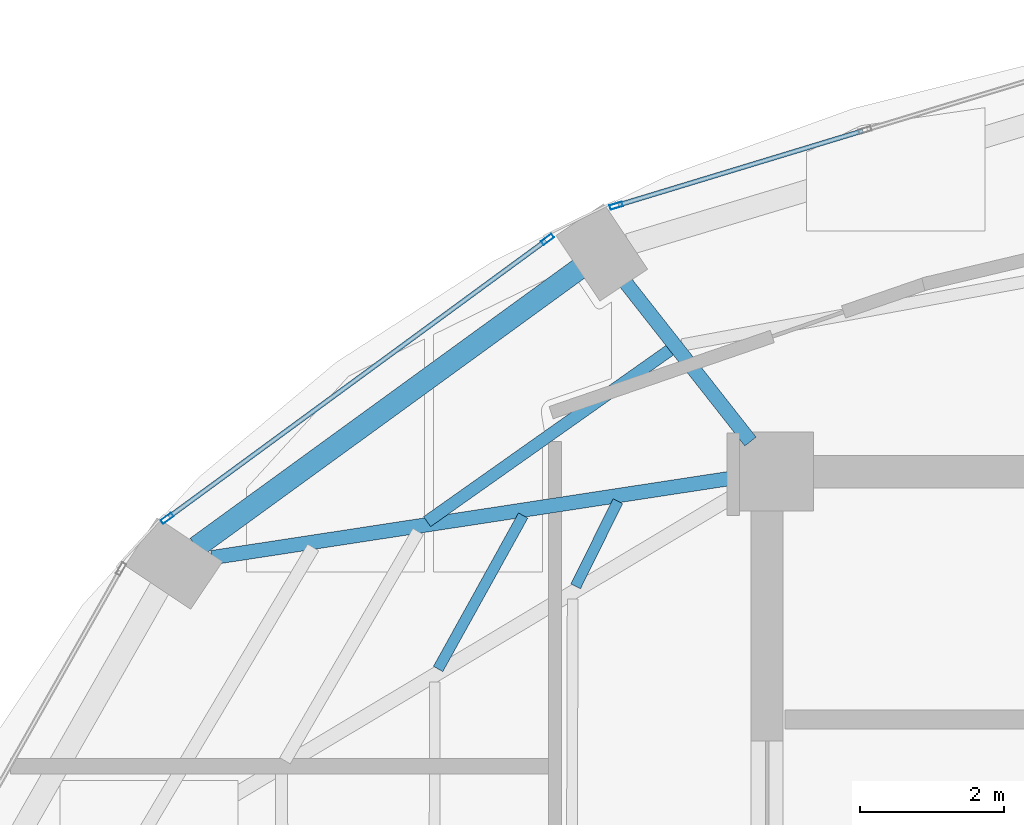
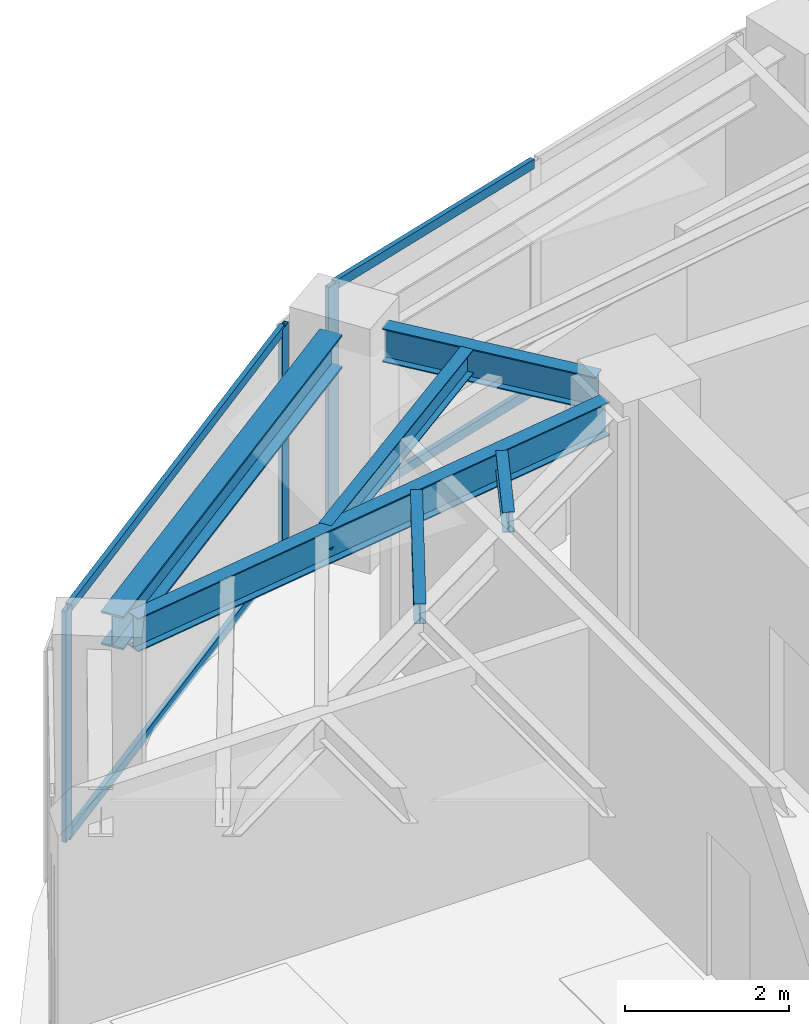
# One storey, part 10 of 22: 7 members, 6 beams, 2 elements without a shape of their own.
"""IFC4 building model written with IfcOpenShell, lengths in metres."""

from ifc_helpers import new_model, si_unit, direction, frame, origin, origin_2d, place, context, subcontext, project, spatial, hollow_rectangle, i_section, extrude, material, layer, layer_set, material_profile, profile_set, type_object, element, aggregate, save


model = new_model("IFC4")

# Units and contexts
model_context = context("Model", 3, precision=1e-05, world=origin(), true_north=direction((0.0, 1.0)))
body_context = subcontext(model_context, "Body", "Model", "MODEL_VIEW")
ifc_project = project(units=[si_unit("LENGTHUNIT", "METRE"), si_unit("AREAUNIT", "SQUARE_METRE"), si_unit("VOLUMEUNIT", "CUBIC_METRE"), si_unit("PLANEANGLEUNIT", "RADIAN"), si_unit("MASSUNIT", "GRAM", prefix="KILO")], contexts=[model_context])

# Site, building, storey
site_placement = place(None, origin())
site = spatial("IfcSite", under=ifc_project, at=site_placement, CompositionType="ELEMENT")
building_placement = place(site_placement, origin())
building = spatial("IfcBuilding", under=site, at=building_placement, Name="Lazwardi Medical Tower", CompositionType="ELEMENT")
storey_placement = place(building_placement, frame((0.0, 0.0, 238.60791015625)))
storey = spatial("IfcBuildingStorey", under=building, at=storey_placement, Name="L62", CompositionType="ELEMENT", Elevation=238.60791015625)

# Beams
ifc_material_1 = material(Name="Steel S355", Category="steel")
ifc_material_profile_1 = material_profile(ifc_material_1, i_section(OverallWidth=0.300048828125, OverallDepth=0.5, WebThickness=0.014404296875, FlangeThickness=0.028076171875, at=origin_2d()), Name="HEB 500")
ifc_profile_set_1 = profile_set([ifc_material_profile_1], Name="Steel S355")
beam_type_1 = type_object("IfcBeamType", Name="BM-RB-Z4", PredefinedType="BEAM", material=ifc_profile_set_1)
beam_1_placement = place(storey_placement, frame((23.68408203125, 38.4248046875, 3.197998046875), z_axis=(-0.808889916254, -0.587960120571, 0.0), x_axis=(0.587960120571, -0.808889916254, 0.0)))
element("IfcBeam", 1, at=beam_1_placement, inside=storey, type_object=beam_type_1, Name="Ring beam RB-05 B10 L62", PredefinedType="BEAM", context=body_context, shape_type="SweptSolid", body=[
    extrude(i_section(OverallWidth=0.300048828125, OverallDepth=0.5, WebThickness=0.014404296875, FlangeThickness=0.028076171875, at=origin_2d()), origin(), (0.0, 0.0, 1.0), 6.587158203125),
])
ifc_material_profile_2 = material_profile(ifc_material_1, i_section(OverallWidth=0.199951171875, OverallDepth=0.5, WebThickness=0.01025390625, FlangeThickness=0.01611328125, at=origin_2d()), Name="IPE 500")
ifc_profile_set_2 = profile_set([ifc_material_profile_2], Name="Steel S355")
beam_type_2 = type_object("IfcBeamType", Name="BM-RG-W3", PredefinedType="BEAM", material=ifc_profile_set_2)
beam_2_placement = place(storey_placement, frame((24.330322265625, 38.2333984375, 3.197998046875), z_axis=(0.617890508382, -0.786264153864, 0.0), x_axis=(0.786264153864, 0.617890508382, 0.0)))
element("IfcBeam", 2, at=beam_2_placement, inside=storey, type_object=beam_type_2, Name="Radial girder RG-04 R10 L62", PredefinedType="BEAM", context=body_context, shape_type="SweptSolid", body=[
    extrude(i_section(OverallWidth=0.199951171875, OverallDepth=0.5, WebThickness=0.01025390625, FlangeThickness=0.01611328125, at=origin_2d()), origin(), (0.0, 0.0, 1.0), 2.814453125),
])
beam_3_placement = place(storey_placement, frame((18.569091796875, 34.4033203125, 3.197998046875), z_axis=(0.988522137285, 0.151076087115, 0.0), x_axis=(-0.151076087115, 0.988522137285, 0.0)))
element("IfcBeam", 3, at=beam_3_placement, inside=storey, type_object=beam_type_2, Name="Radial girder RG-04 R11 L62", PredefinedType="BEAM", context=body_context, shape_type="SweptSolid", body=[
    extrude(i_section(OverallWidth=0.199951171875, OverallDepth=0.5, WebThickness=0.01025390625, FlangeThickness=0.01611328125, at=origin_2d()), origin(), (0.0, 0.0, 1.0), 7.38671875),
])
ifc_material_profile_3 = material_profile(ifc_material_1, i_section(OverallWidth=0.169921875, OverallDepth=0.360107421875, WebThickness=0.008056640625, FlangeThickness=0.0126953125, at=origin_2d()), Name="IPE 360")
ifc_profile_set_3 = profile_set([ifc_material_profile_3], Name="Steel S355")
beam_type_3 = type_object("IfcBeamType", Name="BM-SJ-02", PredefinedType="JOIST", material=ifc_profile_set_3)
beam_4_placement = place(storey_placement, frame((24.948486328125, 37.29345703125, 3.26806640625), z_axis=(-0.816711190406, -0.577046645832, 0.0), x_axis=(0.577046645832, -0.816711190406, 0.0)))
element("IfcBeam", 4, at=beam_4_placement, inside=storey, type_object=beam_type_3, Name="Secondary joist SJ-02 R2 B10 L62", PredefinedType="JOIST", context=body_context, shape_type="SweptSolid", body=[
    extrude(i_section(OverallWidth=0.169921875, OverallDepth=0.360107421875, WebThickness=0.008056640625, FlangeThickness=0.0126953125, at=origin_2d()), origin(), (0.0, 0.0, 1.0), 4.139892578125),
])
ifc_material_profile_4 = material_profile(ifc_material_1, i_section(OverallWidth=0.14990234375, OverallDepth=0.300048828125, WebThickness=0.007080078125, FlangeThickness=0.0107421875, at=origin_2d()), Name="IPE 300")
ifc_profile_set_4 = profile_set([ifc_material_profile_4], Name="Steel S355")
beam_type_4 = type_object("IfcBeamType", Name="BM-SJ-03", PredefinedType="JOIST", material=ifc_profile_set_4)
beam_5_placement = place(storey_placement, frame((22.904296875, 34.98974609375, 3.298095703125), z_axis=(-0.484751625998, -0.874651851363, 0.0), x_axis=(0.874651851363, -0.484751625998, 0.0)))
element("IfcBeam", 5, at=beam_5_placement, inside=storey, type_object=beam_type_4, Name="Secondary joist SJ-03 R3 B11 L62", PredefinedType="JOIST", context=body_context, shape_type="SweptSolid", body=[
    extrude(i_section(OverallWidth=0.14990234375, OverallDepth=0.300048828125, WebThickness=0.007080078125, FlangeThickness=0.0107421875, at=origin_2d()), origin(), (0.0, 0.0, 1.0), 2.442626953125),
])
beam_6_placement = place(storey_placement, frame((24.222412109375, 35.188720703125, 3.298095703125), z_axis=(-0.443587297772, -0.89623116954, 0.0), x_axis=(0.89623116954, -0.443587297772, 0.0)))
element("IfcBeam", 6, at=beam_6_placement, inside=storey, type_object=beam_type_4, Name="Secondary joist SJ-03 R4 B11 L62", PredefinedType="JOIST", context=body_context, shape_type="SweptSolid", body=[
    extrude(i_section(OverallWidth=0.14990234375, OverallDepth=0.300048828125, WebThickness=0.007080078125, FlangeThickness=0.0107421875, at=origin_2d()), origin(), (0.0, 0.0, 1.0), 1.32080078125),
])

# Curtain wall, member
ifc_material_2 = material(Name="Anodised bronze aluminium and solar control glazing", Category="aluminium")
ifc_layer = layer(ifc_material_2, 0.18994140625)
ifc_layer_set = layer_set([ifc_layer], Name="Anodised bronze aluminium and solar control glazing")
curtain_wall_type = type_object("IfcCurtainWallType", Name="CW-SYS-04", PredefinedType="NOTDEFINED", material=ifc_layer_set)
curtain_wall_1_placement = place(storey_placement, origin())
curtain_wall_1 = element("IfcCurtainWall", 7, at=curtain_wall_1_placement, inside=storey, type_object=curtain_wall_type, Name="L62 Unitised bronze curtain wall CW-04", PredefinedType="NOTDEFINED")
ifc_material_3 = material(Name="Anodised bronze aluminium", Category="aluminium")
ifc_material_profile_5 = material_profile(ifc_material_3, hollow_rectangle(XDim=0.06494140625, YDim=0.179931640625, WallThickness=0.00390625, at=origin_2d()), Name="ALU-MULLION 180x65x4")
ifc_profile_set_5 = profile_set([ifc_material_profile_5], Name="Anodised bronze aluminium")
member_type_1 = type_object("IfcMemberType", Name="CW-MUL-03", PredefinedType="MULLION", material=ifc_profile_set_5)
member_1_placement = place(storey_placement, frame((24.2001953125, 39.303466796875, 0.0), z_axis=(0.0, 0.0, 1.0), x_axis=(0.290581889515, -0.956850126972, 0.0)))
member_1 = element("IfcMember", 8, at=member_1_placement, type_object=member_type_1, Name="CW-04 mullion 3", PredefinedType="MULLION", context=body_context, shape_type="SweptSolid", body=[
    extrude(hollow_rectangle(XDim=0.06494140625, YDim=0.179931640625, WallThickness=0.00390625, at=origin_2d()), origin(), (0.0, 0.0, 1.0), 3.447998046875),
])

# Curtain wall, members
curtain_wall_2_placement = place(storey_placement, origin())
curtain_wall_2 = element("IfcCurtainWall", 9, at=curtain_wall_2_placement, inside=storey, type_object=curtain_wall_type, Name="L62 Unitised bronze curtain wall CW-04", PredefinedType="NOTDEFINED")
member_2_placement = place(storey_placement, frame((23.24462890625, 38.8349609375, 0.0), z_axis=(0.0, 0.0, 1.0), x_axis=(0.591268230971, -0.806474971121, 0.0)))
member_2 = element("IfcMember", 10, at=member_2_placement, type_object=member_type_1, Name="CW-04 mullion 1", PredefinedType="MULLION", context=body_context, shape_type="SweptSolid", body=[
    extrude(hollow_rectangle(XDim=0.06494140625, YDim=0.179931640625, WallThickness=0.00390625, at=origin_2d()), origin(), (0.0, 0.0, 1.0), 3.447998046875),
])
member_3_placement = place(storey_placement, frame((17.947998046875, 34.95166015625, 0.0), z_axis=(0.0, 0.0, 1.0), x_axis=(0.591268230971, -0.806474971121, 0.0)))
member_3 = element("IfcMember", 11, at=member_3_placement, type_object=member_type_1, Name="CW-04 mullion 2", PredefinedType="MULLION", context=body_context, shape_type="SweptSolid", body=[
    extrude(hollow_rectangle(XDim=0.06494140625, YDim=0.179931640625, WallThickness=0.00390625, at=origin_2d()), origin(), (0.0, 0.0, 1.0), 3.447998046875),
])

# Member
ifc_material_profile_6 = material_profile(ifc_material_3, hollow_rectangle(XDim=0.06494140625, YDim=0.139892578125, WallThickness=0.00341796875, at=origin_2d()), Name="ALU-TRANSOM 140x65x3.5")
ifc_profile_set_6 = profile_set([ifc_material_profile_6], Name="Anodised bronze aluminium")
member_type_2 = type_object("IfcMemberType", Name="CW-TRN-03", PredefinedType="USERDEFINED", material=ifc_profile_set_6)
member_4_placement = place(storey_placement, frame((27.632568359375, 40.345947265625, 0.032470703125), z_axis=(-0.956843409009, -0.290604010015, 0.0), x_axis=(0.290604010015, -0.956843409009, 0.0)))
member_4 = element("IfcMember", 12, at=member_4_placement, type_object=member_type_2, Name="CW-04 transom 2.1", ObjectType="TRANSOM", PredefinedType="USERDEFINED", context=body_context, shape_type="SweptSolid", body=[
    extrude(hollow_rectangle(XDim=0.06494140625, YDim=0.139892578125, WallThickness=0.00341796875, at=origin_2d()), origin(), (0.0, 0.0, 1.0), 3.554443359375),
])

member_5_placement = place(storey_placement, frame((27.632568359375, 40.345947265625, 3.41552734375), z_axis=(-0.956843409009, -0.290604010015, 0.0), x_axis=(0.290604010015, -0.956843409009, 0.0)))
member_5 = element("IfcMember", 13, at=member_5_placement, type_object=member_type_2, Name="CW-04 transom 2.2", ObjectType="TRANSOM", PredefinedType="USERDEFINED", context=body_context, shape_type="SweptSolid", body=[
    extrude(hollow_rectangle(XDim=0.06494140625, YDim=0.139892578125, WallThickness=0.00341796875, at=origin_2d()), origin(), (0.0, 0.0, 1.0), 3.554443359375),
])

aggregate(curtain_wall_1, [member_1, member_4, member_5])

member_6_placement = place(storey_placement, frame((23.218505859375, 38.815673828125, 0.032470703125), z_axis=(-0.80648973359, -0.591248094808, 0.0), x_axis=(0.591248094808, -0.80648973359, 0.0)))
member_6 = element("IfcMember", 14, at=member_6_placement, type_object=member_type_2, Name="CW-04 transom 1.1", ObjectType="TRANSOM", PredefinedType="USERDEFINED", context=body_context, shape_type="SweptSolid", body=[
    extrude(hollow_rectangle(XDim=0.06494140625, YDim=0.139892578125, WallThickness=0.00341796875, at=origin_2d()), origin(), (0.0, 0.0, 1.0), 6.502685546875),
])

member_7_placement = place(storey_placement, frame((23.218505859375, 38.815673828125, 3.41552734375), z_axis=(-0.80648973359, -0.591248094808, 0.0), x_axis=(0.591248094808, -0.80648973359, 0.0)))
member_7 = element("IfcMember", 15, at=member_7_placement, type_object=member_type_2, Name="CW-04 transom 1.2", ObjectType="TRANSOM", PredefinedType="USERDEFINED", context=body_context, shape_type="SweptSolid", body=[
    extrude(hollow_rectangle(XDim=0.06494140625, YDim=0.139892578125, WallThickness=0.00341796875, at=origin_2d()), origin(), (0.0, 0.0, 1.0), 6.502685546875),
])

aggregate(curtain_wall_2, [member_2, member_3, member_6, member_7])

save(model, "model.ifc")
